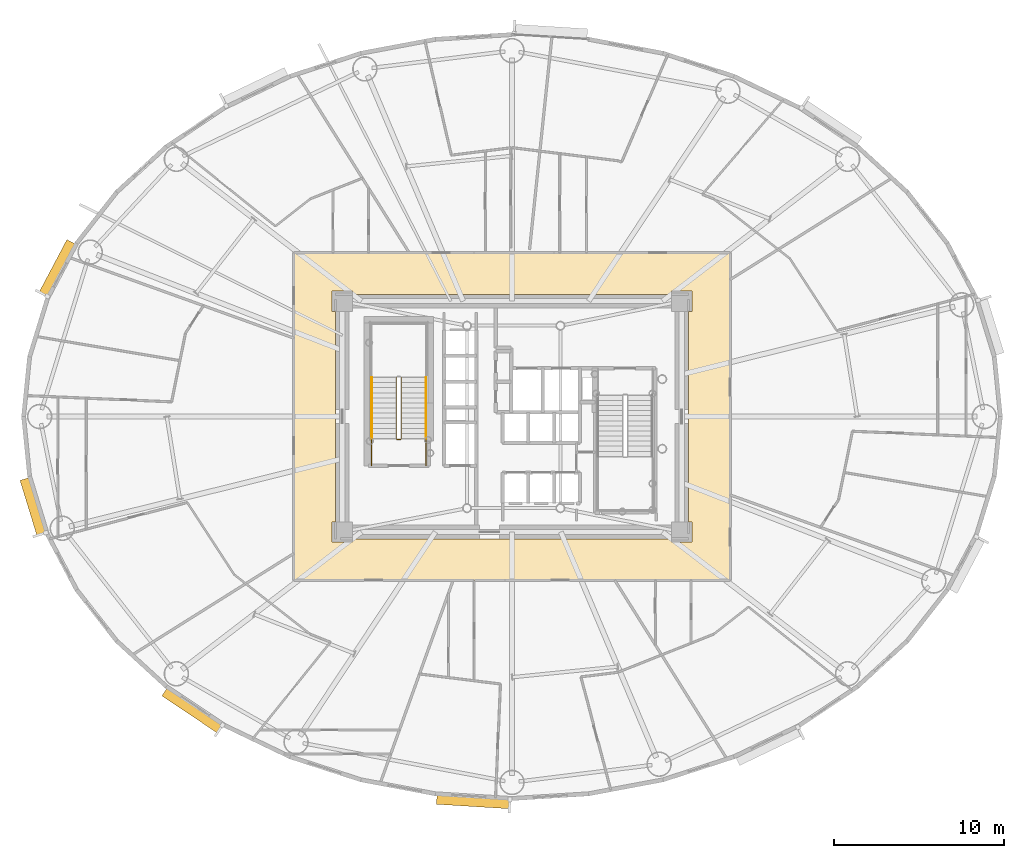
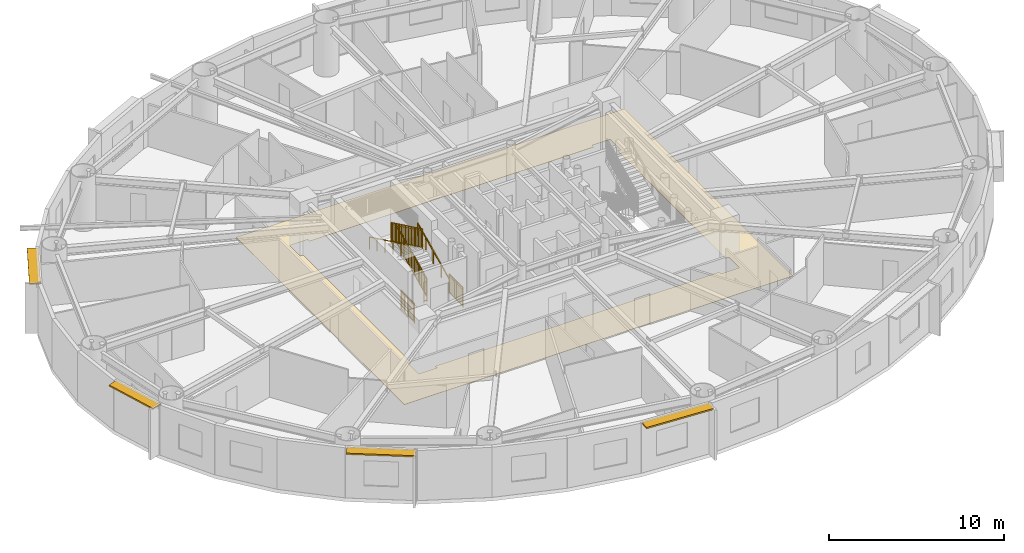
# One storey, part 17 of 21: 7 railings, 4 shading devices, 1 covering.
"""IFC4 building model written with IfcOpenShell, lengths in metres."""

from ifc_helpers import new_model, si_unit, direction, frame, origin, origin_2d, place, context, subcontext, project, spatial, polyline, rectangle, outline, extrude, source, transform, mapped, material, layer, layer_set, type_object, element, save


model = new_model("IFC4")

# Units and contexts
model_context = context("Model", 3, precision=1e-05, world=origin(), true_north=direction((0.0, 1.0)))
body_context = subcontext(model_context, "Body", "Model", "MODEL_VIEW")
ifc_project = project(units=[si_unit("LENGTHUNIT", "METRE"), si_unit("AREAUNIT", "SQUARE_METRE"), si_unit("VOLUMEUNIT", "CUBIC_METRE"), si_unit("PLANEANGLEUNIT", "RADIAN"), si_unit("MASSUNIT", "GRAM", prefix="KILO")], contexts=[model_context])

# Site, building, storey
site_placement = place(None, origin())
site = spatial("IfcSite", under=ifc_project, at=site_placement, CompositionType="ELEMENT")
building_placement = place(site_placement, origin())
building = spatial("IfcBuilding", under=site, at=building_placement, Name="Linh Dai School and Residence Tower", CompositionType="ELEMENT")
storey_placement = place(building_placement, frame((0.0, 0.0, 115.949951171875)))
storey = spatial("IfcBuildingStorey", under=building, at=storey_placement, Name="L27", CompositionType="ELEMENT", Elevation=115.949951171875)

# Covering
ifc_material_1 = material(Name="Polished Terrazzo Floor Finish", Category="masonry")
ifc_layer_1 = layer(ifc_material_1, 0.02490234375)
ifc_layer_set_1 = layer_set([ifc_layer_1], Name="Polished Terrazzo Floor Finish")
covering_type = type_object("IfcCoveringType", Name="COV-FLR-TRZ-25", PredefinedType="FLOORING", material=ifc_layer_set_1)
covering_placement = place(storey_placement, origin())
element("IfcCovering", 1, at=covering_placement, inside=storey, type_object=covering_type, Name="L27 Residential Floor Corridor Floor Finish", PredefinedType="FLOORING", context=body_context, shape_type="SweptSolid", body=[
    extrude(outline(polyline([(48.85009765625, 36.64990234375), (48.85009765625, 17.35009765625), (23.14990234375, 17.35009765625), (23.14990234375, 36.64990234375), (48.85009765625, 36.64990234375)]), holes=[polyline([(26.60009765625, 34.199951171875), (26.60009765625, 34.39990234375), (25.39990234375, 34.39990234375), (25.39990234375, 33.199951171875), (25.60009765625, 33.199951171875), (25.60009765625, 20.800048828125), (25.39990234375, 20.800048828125), (25.39990234375, 19.60009765625), (26.60009765625, 19.60009765625), (26.60009765625, 19.800048828125), (45.39990234375, 19.800048828125), (45.39990234375, 19.60009765625), (46.60009765625, 19.60009765625), (46.60009765625, 20.800048828125), (46.39990234375, 20.800048828125), (46.39990234375, 33.199951171875), (46.60009765625, 33.199951171875), (46.60009765625, 34.39990234375), (45.39990234375, 34.39990234375), (45.39990234375, 34.199951171875), (26.60009765625, 34.199951171875)])]), origin(), (0.0, 0.0, 1.0), 0.02001953125),
])

# Shading devices
ifc_material_2 = material(Name="Terracotta Ceramic Sunshade", Category="masonry")
ifc_layer_2 = layer(ifc_material_2, 0.10009765625)
ifc_layer_set_2 = layer_set([ifc_layer_2], Name="Terracotta Ceramic Sunshade")
shading_device_type = type_object("IfcShadingDeviceType", Name="SHD-TC-650", PredefinedType="USERDEFINED", material=ifc_layer_set_2)
shared_shape_1 = source(origin(), body_context, "Body", "SweptSolid", [
    extrude(rectangle(XDim=3.44384765625, YDim=0.64990234375, at=origin_2d()), origin(), (0.0, 0.0, 1.0), 0.10009765625),
])
shading_device_1_placement = place(storey_placement, frame((7.83154296875, 21.686279296875, 3.3798828125), z_axis=(0.0, 0.0, 1.0), x_axis=(-0.293133528962, 0.956071511028, 0.0)))
element("IfcShadingDevice", 2, at=shading_device_1_placement, inside=storey, type_object=shading_device_type, Name="L27 Terracotta Horizontal Sunshade Band 22", ObjectType="SUNSHADE", PredefinedType="USERDEFINED", context=body_context, shape_type="MappedRepresentation", body=[
    mapped(shared_shape_1, transform((0.0, 0.0, 0.0), x_axis=(1.0, 0.0, 0.0), y_axis=(0.0, 1.0, 0.0), z_axis=(0.0, 0.0, 1.0), scale=1.0)),
])
shared_shape_2 = source(origin(), body_context, "Body", "SweptSolid", [
    extrude(rectangle(XDim=3.96484375, YDim=0.64990234375, at=origin_2d()), origin(), (0.0, 0.0, 1.0), 0.10009765625),
])
shading_device_2_placement = place(storey_placement, frame((17.19970703125, 9.711669921875, 3.3798828125), z_axis=(0.0, 0.0, 1.0), x_axis=(-0.831240347736, 0.555913198527, 0.0)))
element("IfcShadingDevice", 3, at=shading_device_2_placement, inside=storey, type_object=shading_device_type, Name="L27 Terracotta Horizontal Sunshade Band 26", ObjectType="SUNSHADE", PredefinedType="USERDEFINED", context=body_context, shape_type="MappedRepresentation", body=[
    mapped(shared_shape_2, transform((0.0, 0.0, 0.0), x_axis=(1.0, 0.0, 0.0), y_axis=(0.0, 1.0, 0.0), z_axis=(0.0, 0.0, 1.0), scale=1.0)),
])
shared_shape_3 = source(origin(), body_context, "Body", "SweptSolid", [
    extrude(rectangle(XDim=4.33349609375, YDim=0.64990234375, at=origin_2d()), origin(), (0.0, 0.0, 1.0), 0.10009765625),
])
shading_device_3_placement = place(storey_placement, frame((33.729736328125, 4.349365234375, 3.3798828125), z_axis=(0.0, 0.0, 1.0), x_axis=(-0.998106513123, 0.061509255091, 0.0)))
element("IfcShadingDevice", 4, at=shading_device_3_placement, inside=storey, type_object=shading_device_type, Name="L27 Terracotta Horizontal Sunshade Band 30", ObjectType="SUNSHADE", PredefinedType="USERDEFINED", context=body_context, shape_type="MappedRepresentation", body=[
    mapped(shared_shape_3, transform((0.0, 0.0, 0.0), x_axis=(1.0, 0.0, 0.0), y_axis=(0.0, 1.0, 0.0), z_axis=(0.0, 0.0, 1.0), scale=1.0)),
])
shared_shape_4 = source(origin(), body_context, "Body", "SweptSolid", [
    extrude(rectangle(XDim=3.541015625, YDim=0.64990234375, at=origin_2d()), origin(), (0.0, 0.0, 1.0), 0.10009765625),
])
shading_device_4_placement = place(storey_placement, frame((9.240478515625, 35.708740234375, 3.3798828125), z_axis=(0.0, 0.0, 1.0), x_axis=(0.467596217252, 0.883942180016, 0.0)))
element("IfcShadingDevice", 5, at=shading_device_4_placement, inside=storey, type_object=shading_device_type, Name="L27 Terracotta Horizontal Sunshade Band 18", ObjectType="SUNSHADE", PredefinedType="USERDEFINED", context=body_context, shape_type="MappedRepresentation", body=[
    mapped(shared_shape_4, transform((0.0, 0.0, 0.0), x_axis=(1.0, 0.0, 0.0), y_axis=(0.0, 1.0, 0.0), z_axis=(0.0, 0.0, 1.0), scale=1.0)),
])

# Railings
ifc_material_3 = material(Name="Structural Steel S355JR", Category="steel")
railing_type_1 = type_object("IfcRailingType", Name="RL-ST-GUARD-1400", PredefinedType="GUARDRAIL", material=ifc_material_3)
shared_shape_5 = source(origin(), body_context, "Body", "SweptSolid", [
    extrude(rectangle(XDim=0.048095703125, YDim=0.048095703125, at=origin_2d()), frame((0.0, 0.0, 1.3759765625), z_axis=(-1.0, 0.0, 0.0), x_axis=(0.0, -1.0, 0.0)), (0.0, 0.0, 1.0), 0.199951171875),
    extrude(rectangle(XDim=0.048095703125, YDim=0.048095703125, at=origin_2d()), frame((0.0, 0.0, 0.10009765625), z_axis=(-1.0, 0.0, 0.0), x_axis=(0.0, -1.0, 0.0)), (0.0, 0.0, 1.0), 0.199951171875),
    extrude(rectangle(XDim=0.030029296875, YDim=0.030029296875, at=origin_2d()), frame((0.0, 0.0, 1.239990234375), z_axis=(-1.0, 0.0, 0.0), x_axis=(0.0, -1.0, 0.0)), (0.0, 0.0, 1.0), 0.199951171875),
    extrude(rectangle(XDim=0.0419921875, YDim=0.0419921875, at=origin_2d()), origin(), (0.0, 0.0, 1.0), 1.3759765625),
    extrude(rectangle(XDim=0.0419921875, YDim=0.0419921875, at=origin_2d()), frame((-0.199951171875, 0.0, 0.0)), (0.0, 0.0, 1.0), 1.3759765625),
])
railing_1_placement = place(storey_placement, frame((29.429931640625, 25.64990234375, 0.0)))
element("IfcRailing", 6, at=railing_1_placement, inside=storey, type_object=railing_type_1, Name="L27 ST1 stair guard 7", PredefinedType="GUARDRAIL", context=body_context, shape_type="MappedRepresentation", body=[
    mapped(shared_shape_5, transform((0.0, 0.0, 0.0), x_axis=(1.0, 0.0, 0.0), y_axis=(0.0, 1.0, 0.0), z_axis=(0.0, 0.0, 1.0), scale=1.0)),
])
shared_shape_6 = source(origin(), body_context, "Body", "SweptSolid", [
    extrude(rectangle(XDim=0.048095703125, YDim=0.048095703125, at=origin_2d()), frame((0.0, 0.0, 1.3759765625), z_axis=(0.0, 1.0, 0.0), x_axis=(-1.0, 0.0, 0.0)), (0.0, 0.0, 1.0), 1.599853515625),
    extrude(rectangle(XDim=0.048095703125, YDim=0.048095703125, at=origin_2d()), frame((0.0, 0.0, 0.10009765625), z_axis=(0.0, 1.0, 0.0), x_axis=(-1.0, 0.0, 0.0)), (0.0, 0.0, 1.0), 1.599853515625),
    extrude(rectangle(XDim=0.030029296875, YDim=0.030029296875, at=origin_2d()), frame((0.0, 0.0, 1.239990234375), z_axis=(0.0, 1.0, 0.0), x_axis=(-1.0, 0.0, 0.0)), (0.0, 0.0, 1.0), 1.599853515625),
    extrude(rectangle(XDim=0.02001953125, YDim=0.02001953125, at=origin_2d()), frame((0.0, 0.093994140625, 0.10009765625)), (0.0, 0.0, 1.0), 1.251708984375),
    extrude(rectangle(XDim=0.02001953125, YDim=0.02001953125, at=origin_2d()), frame((0.0, 0.188232421875, 0.10009765625)), (0.0, 0.0, 1.0), 1.251708984375),
    extrude(rectangle(XDim=0.02001953125, YDim=0.02001953125, at=origin_2d()), frame((0.0, 0.2822265625, 0.10009765625)), (0.0, 0.0, 1.0), 1.251708984375),
    extrude(rectangle(XDim=0.02001953125, YDim=0.02001953125, at=origin_2d()), frame((0.0, 0.37646484375, 0.10009765625)), (0.0, 0.0, 1.0), 1.251708984375),
    extrude(rectangle(XDim=0.02001953125, YDim=0.02001953125, at=origin_2d()), frame((0.0, 0.470458984375, 0.10009765625)), (0.0, 0.0, 1.0), 1.251708984375),
    extrude(rectangle(XDim=0.02001953125, YDim=0.02001953125, at=origin_2d()), frame((0.0, 0.564697265625, 0.10009765625)), (0.0, 0.0, 1.0), 1.251708984375),
    extrude(rectangle(XDim=0.02001953125, YDim=0.02001953125, at=origin_2d()), frame((0.0, 0.65869140625, 0.10009765625)), (0.0, 0.0, 1.0), 1.251708984375),
    extrude(rectangle(XDim=0.02001953125, YDim=0.02001953125, at=origin_2d()), frame((0.0, 0.7529296875, 0.10009765625)), (0.0, 0.0, 1.0), 1.251708984375),
    extrude(rectangle(XDim=0.02001953125, YDim=0.02001953125, at=origin_2d()), frame((0.0, 0.846923828125, 0.10009765625)), (0.0, 0.0, 1.0), 1.251708984375),
    extrude(rectangle(XDim=0.02001953125, YDim=0.02001953125, at=origin_2d()), frame((0.0, 0.941162109375, 0.10009765625)), (0.0, 0.0, 1.0), 1.251708984375),
    extrude(rectangle(XDim=0.02001953125, YDim=0.02001953125, at=origin_2d()), frame((0.0, 1.03515625, 0.10009765625)), (0.0, 0.0, 1.0), 1.251708984375),
    extrude(rectangle(XDim=0.02001953125, YDim=0.02001953125, at=origin_2d()), frame((0.0, 1.12939453125, 0.10009765625)), (0.0, 0.0, 1.0), 1.251708984375),
    extrude(rectangle(XDim=0.02001953125, YDim=0.02001953125, at=origin_2d()), frame((0.0, 1.223388671875, 0.10009765625)), (0.0, 0.0, 1.0), 1.251708984375),
    extrude(rectangle(XDim=0.02001953125, YDim=0.02001953125, at=origin_2d()), frame((0.0, 1.317626953125, 0.10009765625)), (0.0, 0.0, 1.0), 1.251708984375),
    extrude(rectangle(XDim=0.02001953125, YDim=0.02001953125, at=origin_2d()), frame((0.0, 1.41162109375, 0.10009765625)), (0.0, 0.0, 1.0), 1.251708984375),
    extrude(rectangle(XDim=0.02001953125, YDim=0.02001953125, at=origin_2d()), frame((0.0, 1.505859375, 0.10009765625)), (0.0, 0.0, 1.0), 1.251708984375),
    extrude(rectangle(XDim=0.0419921875, YDim=0.0419921875, at=origin_2d()), origin(), (0.0, 0.0, 1.0), 1.3759765625),
    extrude(rectangle(XDim=0.0419921875, YDim=0.0419921875, at=origin_2d()), frame((0.0, 0.7998046875, 0.0)), (0.0, 0.0, 1.0), 1.3759765625),
    extrude(rectangle(XDim=0.0419921875, YDim=0.0419921875, at=origin_2d()), frame((0.0, 1.599853515625, 0.0)), (0.0, 0.0, 1.0), 1.3759765625),
])
for number, where, name in (
    (7, (30.929931640625, 24.10009765625, 0.0), "L27 ST1 stair guard 8"),
    (8, (27.72998046875, 24.10009765625, 0.0), "L27 ST1 stair guard 9"),
):
    element("IfcRailing", number, at=place(storey_placement, frame(where)), inside=storey, type_object=railing_type_1, Name=name, PredefinedType="GUARDRAIL", context=body_context, shape_type="MappedRepresentation", body=[
        mapped(shared_shape_6, transform((0.0, 0.0, 0.0), x_axis=(1.0, 0.0, 0.0), y_axis=(0.0, 1.0, 0.0), z_axis=(0.0, 0.0, 1.0), scale=1.0)),
    ])
shared_shape_7 = source(origin(), body_context, "Body", "SweptSolid", [
    extrude(rectangle(XDim=0.048095703125, YDim=0.048095703125, at=origin_2d()), frame((0.0, 0.0, 1.3759765625), z_axis=(0.0, 0.901262522062, 0.433273431364), x_axis=(-1.0, 0.0, 0.0)), (0.0, 0.0, 1.0), 3.994384765625),
    extrude(rectangle(XDim=0.048095703125, YDim=0.048095703125, at=origin_2d()), frame((0.0, 0.0, 0.10009765625), z_axis=(0.0, 0.901262522062, 0.433273431364), x_axis=(-1.0, 0.0, 0.0)), (0.0, 0.0, 1.0), 3.994384765625),
    extrude(rectangle(XDim=0.030029296875, YDim=0.030029296875, at=origin_2d()), frame((0.0, 0.0, 1.239990234375), z_axis=(0.0, 0.901262522062, 0.433273431364), x_axis=(-1.0, 0.0, 0.0)), (0.0, 0.0, 1.0), 3.994384765625),
    extrude(rectangle(XDim=0.02001953125, YDim=0.02001953125, at=origin_2d()), frame((0.0, 0.087890625, 0.142333984375)), (0.0, 0.0, 1.0), 1.251708984375),
    extrude(rectangle(XDim=0.02001953125, YDim=0.02001953125, at=origin_2d()), frame((0.0, 0.175537109375, 0.1845703125)), (0.0, 0.0, 1.0), 1.251708984375),
    extrude(rectangle(XDim=0.02001953125, YDim=0.02001953125, at=origin_2d()), frame((0.0, 0.263427734375, 0.226806640625)), (0.0, 0.0, 1.0), 1.251708984375),
    extrude(rectangle(XDim=0.02001953125, YDim=0.02001953125, at=origin_2d()), frame((0.0, 0.351318359375, 0.26904296875)), (0.0, 0.0, 1.0), 1.251708984375),
    extrude(rectangle(XDim=0.02001953125, YDim=0.02001953125, at=origin_2d()), frame((0.0, 0.43896484375, 0.311279296875)), (0.0, 0.0, 1.0), 1.251708984375),
    extrude(rectangle(XDim=0.02001953125, YDim=0.02001953125, at=origin_2d()), frame((0.0, 0.52685546875, 0.353271484375)), (0.0, 0.0, 1.0), 1.251708984375),
    extrude(rectangle(XDim=0.02001953125, YDim=0.02001953125, at=origin_2d()), frame((0.0, 0.61474609375, 0.3955078125)), (0.0, 0.0, 1.0), 1.251708984375),
    extrude(rectangle(XDim=0.02001953125, YDim=0.02001953125, at=origin_2d()), frame((0.0, 0.702392578125, 0.437744140625)), (0.0, 0.0, 1.0), 1.251708984375),
    extrude(rectangle(XDim=0.02001953125, YDim=0.02001953125, at=origin_2d()), frame((0.0, 0.790283203125, 0.47998046875)), (0.0, 0.0, 1.0), 1.251708984375),
    extrude(rectangle(XDim=0.02001953125, YDim=0.02001953125, at=origin_2d()), frame((0.0, 0.9658203125, 0.564453125)), (0.0, 0.0, 1.0), 1.251708984375),
    extrude(rectangle(XDim=0.02001953125, YDim=0.02001953125, at=origin_2d()), frame((0.0, 1.0537109375, 0.606689453125)), (0.0, 0.0, 1.0), 1.251708984375),
    extrude(rectangle(XDim=0.02001953125, YDim=0.02001953125, at=origin_2d()), frame((0.0, 1.1416015625, 0.64892578125)), (0.0, 0.0, 1.0), 1.251708984375),
    extrude(rectangle(XDim=0.02001953125, YDim=0.02001953125, at=origin_2d()), frame((0.0, 1.229248046875, 0.691162109375)), (0.0, 0.0, 1.0), 1.251708984375),
    extrude(rectangle(XDim=0.02001953125, YDim=0.02001953125, at=origin_2d()), frame((0.0, 1.317138671875, 0.7333984375)), (0.0, 0.0, 1.0), 1.251708984375),
    extrude(rectangle(XDim=0.02001953125, YDim=0.02001953125, at=origin_2d()), frame((0.0, 1.405029296875, 0.775390625)), (0.0, 0.0, 1.0), 1.251708984375),
    extrude(rectangle(XDim=0.02001953125, YDim=0.02001953125, at=origin_2d()), frame((0.0, 1.49267578125, 0.817626953125)), (0.0, 0.0, 1.0), 1.251708984375),
    extrude(rectangle(XDim=0.02001953125, YDim=0.02001953125, at=origin_2d()), frame((0.0, 1.58056640625, 0.85986328125)), (0.0, 0.0, 1.0), 1.251708984375),
    extrude(rectangle(XDim=0.02001953125, YDim=0.02001953125, at=origin_2d()), frame((0.0, 1.66845703125, 0.902099609375)), (0.0, 0.0, 1.0), 1.251708984375),
    extrude(rectangle(XDim=0.02001953125, YDim=0.02001953125, at=origin_2d()), frame((0.0, 1.756103515625, 0.9443359375)), (0.0, 0.0, 1.0), 1.251708984375),
    extrude(rectangle(XDim=0.02001953125, YDim=0.02001953125, at=origin_2d()), frame((0.0, 1.843994140625, 0.986572265625)), (0.0, 0.0, 1.0), 1.251708984375),
    extrude(rectangle(XDim=0.02001953125, YDim=0.02001953125, at=origin_2d()), frame((0.0, 1.931640625, 1.02880859375)), (0.0, 0.0, 1.0), 1.251708984375),
    extrude(rectangle(XDim=0.02001953125, YDim=0.02001953125, at=origin_2d()), frame((0.0, 2.01953125, 1.071044921875)), (0.0, 0.0, 1.0), 1.251708984375),
    extrude(rectangle(XDim=0.02001953125, YDim=0.02001953125, at=origin_2d()), frame((0.0, 2.107421875, 1.11328125)), (0.0, 0.0, 1.0), 1.251708984375),
    extrude(rectangle(XDim=0.02001953125, YDim=0.02001953125, at=origin_2d()), frame((0.0, 2.195068359375, 1.155517578125)), (0.0, 0.0, 1.0), 1.251708984375),
    extrude(rectangle(XDim=0.02001953125, YDim=0.02001953125, at=origin_2d()), frame((0.0, 2.282958984375, 1.197509765625)), (0.0, 0.0, 1.0), 1.251708984375),
    extrude(rectangle(XDim=0.02001953125, YDim=0.02001953125, at=origin_2d()), frame((0.0, 2.370849609375, 1.23974609375)), (0.0, 0.0, 1.0), 1.251708984375),
    extrude(rectangle(XDim=0.02001953125, YDim=0.02001953125, at=origin_2d()), frame((0.0, 2.45849609375, 1.281982421875)), (0.0, 0.0, 1.0), 1.251708984375),
    extrude(rectangle(XDim=0.02001953125, YDim=0.02001953125, at=origin_2d()), frame((0.0, 2.54638671875, 1.32421875)), (0.0, 0.0, 1.0), 1.251708984375),
    extrude(rectangle(XDim=0.02001953125, YDim=0.02001953125, at=origin_2d()), frame((0.0, 2.63427734375, 1.366455078125)), (0.0, 0.0, 1.0), 1.251708984375),
    extrude(rectangle(XDim=0.02001953125, YDim=0.02001953125, at=origin_2d()), frame((0.0, 2.809814453125, 1.450927734375)), (0.0, 0.0, 1.0), 1.251708984375),
    extrude(rectangle(XDim=0.02001953125, YDim=0.02001953125, at=origin_2d()), frame((0.0, 2.897705078125, 1.4931640625)), (0.0, 0.0, 1.0), 1.251708984375),
    extrude(rectangle(XDim=0.02001953125, YDim=0.02001953125, at=origin_2d()), frame((0.0, 2.9853515625, 1.535400390625)), (0.0, 0.0, 1.0), 1.251708984375),
    extrude(rectangle(XDim=0.02001953125, YDim=0.02001953125, at=origin_2d()), frame((0.0, 3.0732421875, 1.57763671875)), (0.0, 0.0, 1.0), 1.251708984375),
    extrude(rectangle(XDim=0.02001953125, YDim=0.02001953125, at=origin_2d()), frame((0.0, 3.1611328125, 1.61962890625)), (0.0, 0.0, 1.0), 1.251708984375),
    extrude(rectangle(XDim=0.02001953125, YDim=0.02001953125, at=origin_2d()), frame((0.0, 3.248779296875, 1.661865234375)), (0.0, 0.0, 1.0), 1.251708984375),
    extrude(rectangle(XDim=0.02001953125, YDim=0.02001953125, at=origin_2d()), frame((0.0, 3.336669921875, 1.7041015625)), (0.0, 0.0, 1.0), 1.251708984375),
    extrude(rectangle(XDim=0.02001953125, YDim=0.02001953125, at=origin_2d()), frame((0.0, 3.424560546875, 1.746337890625)), (0.0, 0.0, 1.0), 1.251708984375),
    extrude(rectangle(XDim=0.02001953125, YDim=0.02001953125, at=origin_2d()), frame((0.0, 3.51220703125, 1.78857421875)), (0.0, 0.0, 1.0), 1.251708984375),
    extrude(rectangle(XDim=0.0419921875, YDim=0.0419921875, at=origin_2d()), origin(), (0.0, 0.0, 1.0), 1.3759765625),
    extrude(rectangle(XDim=0.0419921875, YDim=0.0419921875, at=origin_2d()), frame((0.0, 0.89990234375, 0.4326171875)), (0.0, 0.0, 1.0), 1.3759765625),
    extrude(rectangle(XDim=0.0419921875, YDim=0.0419921875, at=origin_2d()), frame((0.0, 1.800048828125, 0.865234375)), (0.0, 0.0, 1.0), 1.3759765625),
    extrude(rectangle(XDim=0.0419921875, YDim=0.0419921875, at=origin_2d()), frame((0.0, 2.7001953125, 1.298095703125)), (0.0, 0.0, 1.0), 1.3759765625),
    extrude(rectangle(XDim=0.0419921875, YDim=0.0419921875, at=origin_2d()), frame((0.0, 3.60009765625, 1.730712890625)), (0.0, 0.0, 1.0), 1.3759765625),
])
railing_2_placement = place(storey_placement, frame((29.47998046875, 25.699951171875, 0.144287109375)))
element("IfcRailing", 9, at=railing_2_placement, inside=storey, type_object=railing_type_1, Name="L27 ST1 stair guard 1", PredefinedType="GUARDRAIL", context=body_context, shape_type="MappedRepresentation", body=[
    mapped(shared_shape_7, transform((0.0, 0.0, 0.0), x_axis=(1.0, 0.0, 0.0), y_axis=(0.0, 1.0, 0.0), z_axis=(0.0, 0.0, 1.0), scale=1.0)),
])
shared_shape_8 = source(origin(), body_context, "Body", "SweptSolid", [
    extrude(rectangle(XDim=0.048095703125, YDim=0.048095703125, at=origin_2d()), frame((0.0, 0.0, 1.3759765625), z_axis=(0.0, -0.901262522062, 0.433273431364), x_axis=(1.0, 0.0, 0.0)), (0.0, 0.0, 1.0), 3.994384765625),
    extrude(rectangle(XDim=0.048095703125, YDim=0.048095703125, at=origin_2d()), frame((0.0, 0.0, 0.10009765625), z_axis=(0.0, -0.901262522062, 0.433273431364), x_axis=(1.0, 0.0, 0.0)), (0.0, 0.0, 1.0), 3.994384765625),
    extrude(rectangle(XDim=0.030029296875, YDim=0.030029296875, at=origin_2d()), frame((0.0, 0.0, 1.239990234375), z_axis=(0.0, -0.901262522062, 0.433273431364), x_axis=(1.0, 0.0, 0.0)), (0.0, 0.0, 1.0), 3.994384765625),
    extrude(rectangle(XDim=0.02001953125, YDim=0.02001953125, at=origin_2d()), frame((0.0, -0.087890625, 0.142333984375)), (0.0, 0.0, 1.0), 1.251708984375),
    extrude(rectangle(XDim=0.02001953125, YDim=0.02001953125, at=origin_2d()), frame((0.0, -0.175537109375, 0.1845703125)), (0.0, 0.0, 1.0), 1.251708984375),
    extrude(rectangle(XDim=0.02001953125, YDim=0.02001953125, at=origin_2d()), frame((0.0, -0.263427734375, 0.226806640625)), (0.0, 0.0, 1.0), 1.251708984375),
    extrude(rectangle(XDim=0.02001953125, YDim=0.02001953125, at=origin_2d()), frame((0.0, -0.351318359375, 0.26904296875)), (0.0, 0.0, 1.0), 1.251708984375),
    extrude(rectangle(XDim=0.02001953125, YDim=0.02001953125, at=origin_2d()), frame((0.0, -0.43896484375, 0.311279296875)), (0.0, 0.0, 1.0), 1.251708984375),
    extrude(rectangle(XDim=0.02001953125, YDim=0.02001953125, at=origin_2d()), frame((0.0, -0.52685546875, 0.353271484375)), (0.0, 0.0, 1.0), 1.251708984375),
    extrude(rectangle(XDim=0.02001953125, YDim=0.02001953125, at=origin_2d()), frame((0.0, -0.61474609375, 0.3955078125)), (0.0, 0.0, 1.0), 1.251708984375),
    extrude(rectangle(XDim=0.02001953125, YDim=0.02001953125, at=origin_2d()), frame((0.0, -0.702392578125, 0.437744140625)), (0.0, 0.0, 1.0), 1.251708984375),
    extrude(rectangle(XDim=0.02001953125, YDim=0.02001953125, at=origin_2d()), frame((0.0, -0.790283203125, 0.47998046875)), (0.0, 0.0, 1.0), 1.251708984375),
    extrude(rectangle(XDim=0.02001953125, YDim=0.02001953125, at=origin_2d()), frame((0.0, -0.9658203125, 0.564453125)), (0.0, 0.0, 1.0), 1.251708984375),
    extrude(rectangle(XDim=0.02001953125, YDim=0.02001953125, at=origin_2d()), frame((0.0, -1.0537109375, 0.606689453125)), (0.0, 0.0, 1.0), 1.251708984375),
    extrude(rectangle(XDim=0.02001953125, YDim=0.02001953125, at=origin_2d()), frame((0.0, -1.1416015625, 0.64892578125)), (0.0, 0.0, 1.0), 1.251708984375),
    extrude(rectangle(XDim=0.02001953125, YDim=0.02001953125, at=origin_2d()), frame((0.0, -1.229248046875, 0.691162109375)), (0.0, 0.0, 1.0), 1.251708984375),
    extrude(rectangle(XDim=0.02001953125, YDim=0.02001953125, at=origin_2d()), frame((0.0, -1.317138671875, 0.7333984375)), (0.0, 0.0, 1.0), 1.251708984375),
    extrude(rectangle(XDim=0.02001953125, YDim=0.02001953125, at=origin_2d()), frame((0.0, -1.405029296875, 0.775390625)), (0.0, 0.0, 1.0), 1.251708984375),
    extrude(rectangle(XDim=0.02001953125, YDim=0.02001953125, at=origin_2d()), frame((0.0, -1.49267578125, 0.817626953125)), (0.0, 0.0, 1.0), 1.251708984375),
    extrude(rectangle(XDim=0.02001953125, YDim=0.02001953125, at=origin_2d()), frame((0.0, -1.58056640625, 0.85986328125)), (0.0, 0.0, 1.0), 1.251708984375),
    extrude(rectangle(XDim=0.02001953125, YDim=0.02001953125, at=origin_2d()), frame((0.0, -1.66845703125, 0.902099609375)), (0.0, 0.0, 1.0), 1.251708984375),
    extrude(rectangle(XDim=0.02001953125, YDim=0.02001953125, at=origin_2d()), frame((0.0, -1.756103515625, 0.9443359375)), (0.0, 0.0, 1.0), 1.251708984375),
    extrude(rectangle(XDim=0.02001953125, YDim=0.02001953125, at=origin_2d()), frame((0.0, -1.843994140625, 0.986572265625)), (0.0, 0.0, 1.0), 1.251708984375),
    extrude(rectangle(XDim=0.02001953125, YDim=0.02001953125, at=origin_2d()), frame((0.0, -1.931640625, 1.02880859375)), (0.0, 0.0, 1.0), 1.251708984375),
    extrude(rectangle(XDim=0.02001953125, YDim=0.02001953125, at=origin_2d()), frame((0.0, -2.01953125, 1.071044921875)), (0.0, 0.0, 1.0), 1.251708984375),
    extrude(rectangle(XDim=0.02001953125, YDim=0.02001953125, at=origin_2d()), frame((0.0, -2.107421875, 1.11328125)), (0.0, 0.0, 1.0), 1.251708984375),
    extrude(rectangle(XDim=0.02001953125, YDim=0.02001953125, at=origin_2d()), frame((0.0, -2.195068359375, 1.155517578125)), (0.0, 0.0, 1.0), 1.251708984375),
    extrude(rectangle(XDim=0.02001953125, YDim=0.02001953125, at=origin_2d()), frame((0.0, -2.282958984375, 1.197509765625)), (0.0, 0.0, 1.0), 1.251708984375),
    extrude(rectangle(XDim=0.02001953125, YDim=0.02001953125, at=origin_2d()), frame((0.0, -2.370849609375, 1.23974609375)), (0.0, 0.0, 1.0), 1.251708984375),
    extrude(rectangle(XDim=0.02001953125, YDim=0.02001953125, at=origin_2d()), frame((0.0, -2.45849609375, 1.281982421875)), (0.0, 0.0, 1.0), 1.251708984375),
    extrude(rectangle(XDim=0.02001953125, YDim=0.02001953125, at=origin_2d()), frame((0.0, -2.54638671875, 1.32421875)), (0.0, 0.0, 1.0), 1.251708984375),
    extrude(rectangle(XDim=0.02001953125, YDim=0.02001953125, at=origin_2d()), frame((0.0, -2.63427734375, 1.366455078125)), (0.0, 0.0, 1.0), 1.251708984375),
    extrude(rectangle(XDim=0.02001953125, YDim=0.02001953125, at=origin_2d()), frame((0.0, -2.809814453125, 1.450927734375)), (0.0, 0.0, 1.0), 1.251708984375),
    extrude(rectangle(XDim=0.02001953125, YDim=0.02001953125, at=origin_2d()), frame((0.0, -2.897705078125, 1.4931640625)), (0.0, 0.0, 1.0), 1.251708984375),
    extrude(rectangle(XDim=0.02001953125, YDim=0.02001953125, at=origin_2d()), frame((0.0, -2.9853515625, 1.535400390625)), (0.0, 0.0, 1.0), 1.251708984375),
    extrude(rectangle(XDim=0.02001953125, YDim=0.02001953125, at=origin_2d()), frame((0.0, -3.0732421875, 1.57763671875)), (0.0, 0.0, 1.0), 1.251708984375),
    extrude(rectangle(XDim=0.02001953125, YDim=0.02001953125, at=origin_2d()), frame((0.0, -3.1611328125, 1.61962890625)), (0.0, 0.0, 1.0), 1.251708984375),
    extrude(rectangle(XDim=0.02001953125, YDim=0.02001953125, at=origin_2d()), frame((0.0, -3.248779296875, 1.661865234375)), (0.0, 0.0, 1.0), 1.251708984375),
    extrude(rectangle(XDim=0.02001953125, YDim=0.02001953125, at=origin_2d()), frame((0.0, -3.336669921875, 1.7041015625)), (0.0, 0.0, 1.0), 1.251708984375),
    extrude(rectangle(XDim=0.02001953125, YDim=0.02001953125, at=origin_2d()), frame((0.0, -3.424560546875, 1.746337890625)), (0.0, 0.0, 1.0), 1.251708984375),
    extrude(rectangle(XDim=0.02001953125, YDim=0.02001953125, at=origin_2d()), frame((0.0, -3.51220703125, 1.78857421875)), (0.0, 0.0, 1.0), 1.251708984375),
    extrude(rectangle(XDim=0.0419921875, YDim=0.0419921875, at=origin_2d()), origin(), (0.0, 0.0, 1.0), 1.3759765625),
    extrude(rectangle(XDim=0.0419921875, YDim=0.0419921875, at=origin_2d()), frame((0.0, -0.89990234375, 0.4326171875)), (0.0, 0.0, 1.0), 1.3759765625),
    extrude(rectangle(XDim=0.0419921875, YDim=0.0419921875, at=origin_2d()), frame((0.0, -1.800048828125, 0.865234375)), (0.0, 0.0, 1.0), 1.3759765625),
    extrude(rectangle(XDim=0.0419921875, YDim=0.0419921875, at=origin_2d()), frame((0.0, -2.7001953125, 1.298095703125)), (0.0, 0.0, 1.0), 1.3759765625),
    extrude(rectangle(XDim=0.0419921875, YDim=0.0419921875, at=origin_2d()), frame((0.0, -3.60009765625, 1.730712890625)), (0.0, 0.0, 1.0), 1.3759765625),
])
railing_3_placement = place(storey_placement, frame((29.179931640625, 29.300048828125, 2.019287109375)))
element("IfcRailing", 10, at=railing_3_placement, inside=storey, type_object=railing_type_1, Name="L27 ST1 stair guard 6", PredefinedType="GUARDRAIL", context=body_context, shape_type="MappedRepresentation", body=[
    mapped(shared_shape_8, transform((0.0, 0.0, 0.0), x_axis=(1.0, 0.0, 0.0), y_axis=(0.0, 1.0, 0.0), z_axis=(0.0, 0.0, 1.0), scale=1.0)),
])
ifc_material_4 = material(Name="Brushed Stainless Steel Handrail", Category="steel")
railing_type_2 = type_object("IfcRailingType", Name="RL-ST-HANDRAIL-900", PredefinedType="HANDRAIL", material=ifc_material_4)
shared_shape_9 = source(origin(), body_context, "Body", "SweptSolid", [
    extrude(rectangle(XDim=0.048095703125, YDim=0.048095703125, at=origin_2d()), frame((0.0, 0.0, 0.8759765625), z_axis=(0.0, 0.901262522062, 0.433273431364), x_axis=(-1.0, 0.0, 0.0)), (0.0, 0.0, 1.0), 3.994384765625),
    extrude(rectangle(XDim=0.0419921875, YDim=0.0419921875, at=origin_2d()), origin(), (0.0, 0.0, 1.0), 0.8759765625),
    extrude(rectangle(XDim=0.0419921875, YDim=0.0419921875, at=origin_2d()), frame((0.0, 0.89990234375, 0.4326171875)), (0.0, 0.0, 1.0), 0.8759765625),
    extrude(rectangle(XDim=0.0419921875, YDim=0.0419921875, at=origin_2d()), frame((0.0, 1.800048828125, 0.865234375)), (0.0, 0.0, 1.0), 0.8759765625),
    extrude(rectangle(XDim=0.0419921875, YDim=0.0419921875, at=origin_2d()), frame((0.0, 2.7001953125, 1.298095703125)), (0.0, 0.0, 1.0), 0.8759765625),
    extrude(rectangle(XDim=0.0419921875, YDim=0.0419921875, at=origin_2d()), frame((0.0, 3.60009765625, 1.730712890625)), (0.0, 0.0, 1.0), 0.8759765625),
])
railing_4_placement = place(storey_placement, frame((30.929931640625, 25.699951171875, 0.144287109375)))
element("IfcRailing", 11, at=railing_4_placement, inside=storey, type_object=railing_type_2, Name="L27 ST1 stair handrail 1", PredefinedType="HANDRAIL", context=body_context, shape_type="MappedRepresentation", body=[
    mapped(shared_shape_9, transform((0.0, 0.0, 0.0), x_axis=(1.0, 0.0, 0.0), y_axis=(0.0, 1.0, 0.0), z_axis=(0.0, 0.0, 1.0), scale=1.0)),
])
shared_shape_10 = source(origin(), body_context, "Body", "SweptSolid", [
    extrude(rectangle(XDim=0.048095703125, YDim=0.048095703125, at=origin_2d()), frame((0.0, 0.0, 0.8759765625), z_axis=(0.0, -0.901262522062, 0.433273431364), x_axis=(1.0, 0.0, 0.0)), (0.0, 0.0, 1.0), 3.994384765625),
    extrude(rectangle(XDim=0.0419921875, YDim=0.0419921875, at=origin_2d()), origin(), (0.0, 0.0, 1.0), 0.8759765625),
    extrude(rectangle(XDim=0.0419921875, YDim=0.0419921875, at=origin_2d()), frame((0.0, -0.89990234375, 0.4326171875)), (0.0, 0.0, 1.0), 0.8759765625),
    extrude(rectangle(XDim=0.0419921875, YDim=0.0419921875, at=origin_2d()), frame((0.0, -1.800048828125, 0.865234375)), (0.0, 0.0, 1.0), 0.8759765625),
    extrude(rectangle(XDim=0.0419921875, YDim=0.0419921875, at=origin_2d()), frame((0.0, -2.7001953125, 1.298095703125)), (0.0, 0.0, 1.0), 0.8759765625),
    extrude(rectangle(XDim=0.0419921875, YDim=0.0419921875, at=origin_2d()), frame((0.0, -3.60009765625, 1.730712890625)), (0.0, 0.0, 1.0), 0.8759765625),
])
railing_5_placement = place(storey_placement, frame((27.72998046875, 29.300048828125, 2.019287109375)))
element("IfcRailing", 12, at=railing_5_placement, inside=storey, type_object=railing_type_2, Name="L27 ST1 stair handrail 2", PredefinedType="HANDRAIL", context=body_context, shape_type="MappedRepresentation", body=[
    mapped(shared_shape_10, transform((0.0, 0.0, 0.0), x_axis=(1.0, 0.0, 0.0), y_axis=(0.0, 1.0, 0.0), z_axis=(0.0, 0.0, 1.0), scale=1.0)),
])

save(model, "model.ifc")
